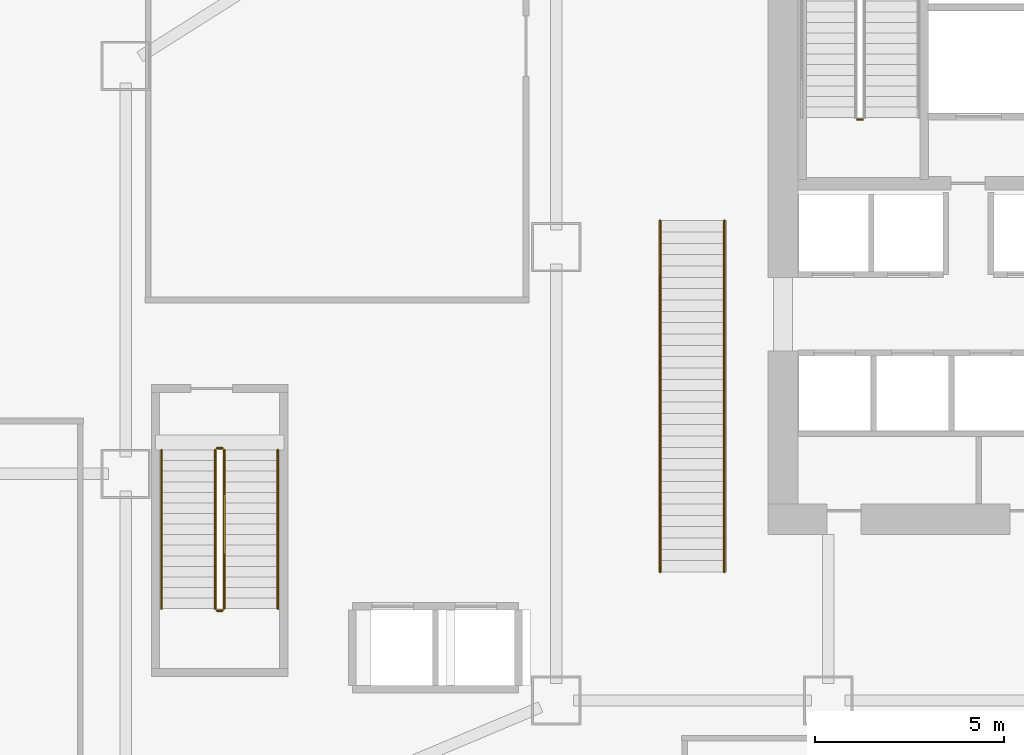
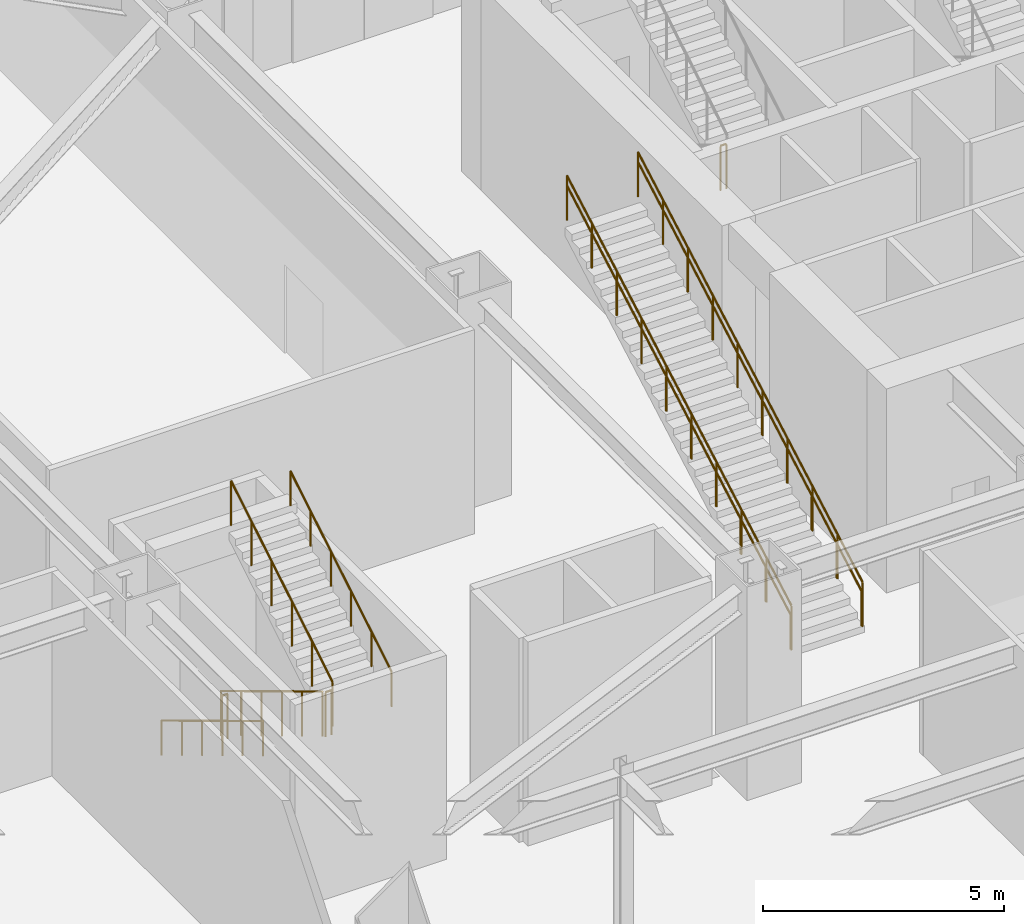
# One storey, part 32 of 37: 11 railings.
"""IFC4 building model written with IfcOpenShell, lengths in metres."""

from ifc_helpers import new_model, si_unit, direction, frame, origin, origin_2d, place, context, subcontext, project, spatial, circle, extrude, material, type_object, element, save


model = new_model("IFC4")

# Units and contexts
model_context = context("Model", 3, precision=1e-05, world=origin(), true_north=direction((0.0, 1.0)))
body_context = subcontext(model_context, "Body", "Model", "MODEL_VIEW")
ifc_project = project(units=[si_unit("LENGTHUNIT", "METRE"), si_unit("AREAUNIT", "SQUARE_METRE"), si_unit("VOLUMEUNIT", "CUBIC_METRE"), si_unit("PLANEANGLEUNIT", "RADIAN"), si_unit("MASSUNIT", "GRAM", prefix="KILO")], contexts=[model_context])

# Site, building, storey
site_placement = place(None, origin())
site = spatial("IfcSite", under=ifc_project, at=site_placement, CompositionType="ELEMENT")
building_placement = place(site_placement, origin())
building = spatial("IfcBuilding", under=site, at=building_placement, Name="Haolan Belvedere Tower", CompositionType="ELEMENT")
storey_placement = place(building_placement, frame((0.0, 0.0, 10.199951171875)))
storey = spatial("IfcBuildingStorey", under=building, at=storey_placement, Name="L02", CompositionType="ELEMENT", Elevation=10.199951171875)

# Railings
ifc_material = material(Name="Brushed stainless steel 304", Category="steel")
railing_type_1 = type_object("IfcRailingType", Name="RL-STAIR-GRD-1150", PredefinedType="GUARDRAIL", material=ifc_material)
railing_1_placement = place(storey_placement, frame((31.969970703125, 36.97998046875, 2.699951171875)))
element("IfcRailing", 1, at=railing_1_placement, inside=storey, type_object=railing_type_1, Name="L02 ST1 stair guard 2", PredefinedType="GUARDRAIL", context=body_context, shape_type="SweptSolid", body=[
    extrude(circle(Radius=0.02392578125, at=origin_2d()), frame((0.0, 0.0, 1.1259765625), z_axis=(1.0, 0.0, 0.0), x_axis=(0.0, 1.0, 0.0)), (0.0, 0.0, 1.0), 0.14013671875),
    extrude(circle(Radius=0.02099609375, at=origin_2d()), origin(), (0.0, 0.0, 1.0), 1.101806640625),
    extrude(circle(Radius=0.02099609375, at=origin_2d()), frame((0.14013671875, 0.0, 0.0)), (0.0, 0.0, 1.0), 1.101806640625),
])
railing_2_placement = place(storey_placement, frame((14.969970703125, 28.22998046875, 0.168701171875)))
element("IfcRailing", 2, at=railing_2_placement, inside=storey, type_object=railing_type_1, Name="L02 ST4 stair guard 1", PredefinedType="GUARDRAIL", context=body_context, shape_type="SweptSolid", body=[
    extrude(circle(Radius=0.02392578125, at=origin_2d()), frame((0.0, 0.0, 1.1259765625), z_axis=(0.0, -0.856476492594, 0.516186030065), x_axis=(1.0, 0.0, 0.0)), (0.0, 0.0, 1.0), 4.90380859375),
    extrude(circle(Radius=0.02099609375, at=origin_2d()), origin(), (0.0, 0.0, 1.0), 1.101806640625),
    extrude(circle(Radius=0.02099609375, at=origin_2d()), frame((0.0, -0.840087890625, 0.50634765625)), (0.0, 0.0, 1.0), 1.101806640625),
    extrude(circle(Radius=0.02099609375, at=origin_2d()), frame((0.0, -1.679931640625, 1.012451171875)), (0.0, 0.0, 1.0), 1.101806640625),
    extrude(circle(Radius=0.02099609375, at=origin_2d()), frame((0.0, -2.52001953125, 1.518798828125)), (0.0, 0.0, 1.0), 1.101806640625),
    extrude(circle(Radius=0.02099609375, at=origin_2d()), frame((0.0, -3.35986328125, 2.02490234375)), (0.0, 0.0, 1.0), 1.101806640625),
    extrude(circle(Radius=0.02099609375, at=origin_2d()), frame((0.0, -4.199951171875, 2.53125)), (0.0, 0.0, 1.0), 1.101806640625),
])
railing_3_placement = place(storey_placement, frame((15.02001953125, 23.97998046875, 2.699951171875)))
element("IfcRailing", 3, at=railing_3_placement, inside=storey, type_object=railing_type_1, Name="L02 ST4 stair guard 2", PredefinedType="GUARDRAIL", context=body_context, shape_type="SweptSolid", body=[
    extrude(circle(Radius=0.02392578125, at=origin_2d()), frame((0.0, 0.0, 1.1259765625), z_axis=(1.0, 0.0, 0.0), x_axis=(0.0, 1.0, 0.0)), (0.0, 0.0, 1.0), 0.139892578125),
    extrude(circle(Radius=0.02099609375, at=origin_2d()), origin(), (0.0, 0.0, 1.0), 1.101806640625),
    extrude(circle(Radius=0.02099609375, at=origin_2d()), frame((0.139892578125, 0.0, 0.0)), (0.0, 0.0, 1.0), 1.101806640625),
])
railing_4_placement = place(storey_placement, frame((15.2099609375, 24.030029296875, 2.868896484375)))
element("IfcRailing", 4, at=railing_4_placement, inside=storey, type_object=railing_type_1, Name="L02 ST4 stair guard 3", PredefinedType="GUARDRAIL", context=body_context, shape_type="SweptSolid", body=[
    extrude(circle(Radius=0.02392578125, at=origin_2d()), frame((0.0, 0.0, 1.1259765625), z_axis=(0.0, 0.856476492594, 0.516186030065), x_axis=(-1.0, 0.0, 0.0)), (0.0, 0.0, 1.0), 4.90380859375),
    extrude(circle(Radius=0.02099609375, at=origin_2d()), origin(), (0.0, 0.0, 1.0), 1.101806640625),
    extrude(circle(Radius=0.02099609375, at=origin_2d()), frame((0.0, 0.840087890625, 0.50634765625)), (0.0, 0.0, 1.0), 1.101806640625),
    extrude(circle(Radius=0.02099609375, at=origin_2d()), frame((0.0, 1.679931640625, 1.012451171875)), (0.0, 0.0, 1.0), 1.101806640625),
    extrude(circle(Radius=0.02099609375, at=origin_2d()), frame((0.0, 2.52001953125, 1.518798828125)), (0.0, 0.0, 1.0), 1.101806640625),
    extrude(circle(Radius=0.02099609375, at=origin_2d()), frame((0.0, 3.35986328125, 2.02490234375)), (0.0, 0.0, 1.0), 1.101806640625),
    extrude(circle(Radius=0.02099609375, at=origin_2d()), frame((0.0, 4.199951171875, 2.53125)), (0.0, 0.0, 1.0), 1.101806640625),
])
railing_5_placement = place(storey_placement, frame((15.02001953125, 28.280029296875, 0.0)))
element("IfcRailing", 5, at=railing_5_placement, inside=storey, type_object=railing_type_1, Name="L02 ST4 stair guard 4", PredefinedType="GUARDRAIL", context=body_context, shape_type="SweptSolid", body=[
    extrude(circle(Radius=0.02392578125, at=origin_2d()), frame((0.0, 0.0, 1.1259765625), z_axis=(1.0, 0.0, 0.0), x_axis=(0.0, 1.0, 0.0)), (0.0, 0.0, 1.0), 0.139892578125),
    extrude(circle(Radius=0.02099609375, at=origin_2d()), origin(), (0.0, 0.0, 1.0), 1.101806640625),
    extrude(circle(Radius=0.02099609375, at=origin_2d()), frame((0.139892578125, 0.0, 0.0)), (0.0, 0.0, 1.0), 1.101806640625),
])
for number, where, name in (
    (6, (26.75, 25.0, 0.168701171875), "L02 ST8 flight guard 1"),
    (7, (28.449951171875, 25.0, 0.168701171875), "L02 ST8 flight guard 2"),
):
    element("IfcRailing", number, at=place(storey_placement, frame(where)), inside=storey, type_object=railing_type_1, Name=name, PredefinedType="GUARDRAIL", context=body_context, shape_type="SweptSolid", body=[
        extrude(circle(Radius=0.02392578125, at=origin_2d()), frame((0.0, 0.0, 1.1259765625), z_axis=(0.0, 0.871568815611, 0.490273188799), x_axis=(-1.0, 0.0, 0.0)), (0.0, 0.0, 1.0), 10.67041015625),
        extrude(circle(Radius=0.02099609375, at=origin_2d()), origin(), (0.0, 0.0, 1.0), 1.101806640625),
        extrude(circle(Radius=0.02099609375, at=origin_2d()), frame((0.0, 1.033447265625, 0.581298828125)), (0.0, 0.0, 1.0), 1.101806640625),
        extrude(circle(Radius=0.02099609375, at=origin_2d()), frame((0.0, 2.066650390625, 1.16259765625)), (0.0, 0.0, 1.0), 1.101806640625),
        extrude(circle(Radius=0.02099609375, at=origin_2d()), frame((0.0, 3.10009765625, 1.743896484375)), (0.0, 0.0, 1.0), 1.101806640625),
        extrude(circle(Radius=0.02099609375, at=origin_2d()), frame((0.0, 4.13330078125, 2.3251953125)), (0.0, 0.0, 1.0), 1.101806640625),
        extrude(circle(Radius=0.02099609375, at=origin_2d()), frame((0.0, 5.166748046875, 2.90625)), (0.0, 0.0, 1.0), 1.101806640625),
        extrude(circle(Radius=0.02099609375, at=origin_2d()), frame((0.0, 6.199951171875, 3.487548828125)), (0.0, 0.0, 1.0), 1.101806640625),
        extrude(circle(Radius=0.02099609375, at=origin_2d()), frame((0.0, 7.2333984375, 4.06884765625)), (0.0, 0.0, 1.0), 1.101806640625),
        extrude(circle(Radius=0.02099609375, at=origin_2d()), frame((0.0, 8.2666015625, 4.650146484375)), (0.0, 0.0, 1.0), 1.101806640625),
        extrude(circle(Radius=0.02099609375, at=origin_2d()), frame((0.0, 9.300048828125, 5.2314453125)), (0.0, 0.0, 1.0), 1.101806640625),
    ])
railing_type_2 = type_object("IfcRailingType", Name="RL-STAIR-HND-900", PredefinedType="HANDRAIL", material=ifc_material)
railing_6_placement = place(storey_placement, frame((13.550048828125, 28.22998046875, 0.168701171875)))
element("IfcRailing", 8, at=railing_6_placement, inside=storey, type_object=railing_type_2, Name="L02 ST4 stair handrail 1", PredefinedType="HANDRAIL", context=body_context, shape_type="SweptSolid", body=[
    extrude(circle(Radius=0.02392578125, at=origin_2d()), frame((0.0, 0.0, 0.8759765625), z_axis=(0.0, -0.856476492594, 0.516186030065), x_axis=(1.0, 0.0, 0.0)), (0.0, 0.0, 1.0), 4.90380859375),
    extrude(circle(Radius=0.02099609375, at=origin_2d()), origin(), (0.0, 0.0, 1.0), 0.851806640625),
    extrude(circle(Radius=0.02099609375, at=origin_2d()), frame((0.0, -0.840087890625, 0.50634765625)), (0.0, 0.0, 1.0), 0.851806640625),
    extrude(circle(Radius=0.02099609375, at=origin_2d()), frame((0.0, -1.679931640625, 1.012451171875)), (0.0, 0.0, 1.0), 0.851806640625),
    extrude(circle(Radius=0.02099609375, at=origin_2d()), frame((0.0, -2.52001953125, 1.518798828125)), (0.0, 0.0, 1.0), 0.851806640625),
    extrude(circle(Radius=0.02099609375, at=origin_2d()), frame((0.0, -3.35986328125, 2.02490234375)), (0.0, 0.0, 1.0), 0.851806640625),
    extrude(circle(Radius=0.02099609375, at=origin_2d()), frame((0.0, -4.199951171875, 2.53125)), (0.0, 0.0, 1.0), 0.851806640625),
])
railing_7_placement = place(storey_placement, frame((16.6298828125, 24.030029296875, 2.868896484375)))
element("IfcRailing", 9, at=railing_7_placement, inside=storey, type_object=railing_type_2, Name="L02 ST4 stair handrail 2", PredefinedType="HANDRAIL", context=body_context, shape_type="SweptSolid", body=[
    extrude(circle(Radius=0.02392578125, at=origin_2d()), frame((0.0, 0.0, 0.8759765625), z_axis=(0.0, 0.856476492594, 0.516186030065), x_axis=(-1.0, 0.0, 0.0)), (0.0, 0.0, 1.0), 4.90380859375),
    extrude(circle(Radius=0.02099609375, at=origin_2d()), origin(), (0.0, 0.0, 1.0), 0.851806640625),
    extrude(circle(Radius=0.02099609375, at=origin_2d()), frame((0.0, 0.840087890625, 0.50634765625)), (0.0, 0.0, 1.0), 0.851806640625),
    extrude(circle(Radius=0.02099609375, at=origin_2d()), frame((0.0, 1.679931640625, 1.012451171875)), (0.0, 0.0, 1.0), 0.851806640625),
    extrude(circle(Radius=0.02099609375, at=origin_2d()), frame((0.0, 2.52001953125, 1.518798828125)), (0.0, 0.0, 1.0), 0.851806640625),
    extrude(circle(Radius=0.02099609375, at=origin_2d()), frame((0.0, 3.35986328125, 2.02490234375)), (0.0, 0.0, 1.0), 0.851806640625),
    extrude(circle(Radius=0.02099609375, at=origin_2d()), frame((0.0, 4.199951171875, 2.53125)), (0.0, 0.0, 1.0), 0.851806640625),
])
for number, where, name in (
    (10, (26.75, 25.0400390625, 0.168701171875), "L02 ST8 handrail 1"),
    (11, (28.449951171875, 25.0400390625, 0.168701171875), "L02 ST8 handrail 2"),
):
    element("IfcRailing", number, at=place(storey_placement, frame(where)), inside=storey, type_object=railing_type_2, Name=name, PredefinedType="HANDRAIL", context=body_context, shape_type="SweptSolid", body=[
        extrude(circle(Radius=0.02392578125, at=origin_2d()), frame((0.0, 0.0, 0.8759765625), z_axis=(0.0, 0.870662435313, 0.491881005666), x_axis=(-1.0, 0.0, 0.0)), (0.0, 0.0, 1.0), 10.635498046875),
        extrude(circle(Radius=0.02099609375, at=origin_2d()), origin(), (0.0, 0.0, 1.0), 0.851806640625),
        extrude(circle(Radius=0.02099609375, at=origin_2d()), frame((0.0, 1.02880859375, 0.581298828125)), (0.0, 0.0, 1.0), 0.851806640625),
        extrude(circle(Radius=0.02099609375, at=origin_2d()), frame((0.0, 2.057861328125, 1.16259765625)), (0.0, 0.0, 1.0), 0.851806640625),
        extrude(circle(Radius=0.02099609375, at=origin_2d()), frame((0.0, 3.086669921875, 1.743896484375)), (0.0, 0.0, 1.0), 0.851806640625),
        extrude(circle(Radius=0.02099609375, at=origin_2d()), frame((0.0, 4.115478515625, 2.3251953125)), (0.0, 0.0, 1.0), 0.851806640625),
        extrude(circle(Radius=0.02099609375, at=origin_2d()), frame((0.0, 5.14453125, 2.90625)), (0.0, 0.0, 1.0), 0.851806640625),
        extrude(circle(Radius=0.02099609375, at=origin_2d()), frame((0.0, 6.17333984375, 3.487548828125)), (0.0, 0.0, 1.0), 0.851806640625),
        extrude(circle(Radius=0.02099609375, at=origin_2d()), frame((0.0, 7.2021484375, 4.06884765625)), (0.0, 0.0, 1.0), 0.851806640625),
        extrude(circle(Radius=0.02099609375, at=origin_2d()), frame((0.0, 8.231201171875, 4.650146484375)), (0.0, 0.0, 1.0), 0.851806640625),
        extrude(circle(Radius=0.02099609375, at=origin_2d()), frame((0.0, 9.260009765625, 5.2314453125)), (0.0, 0.0, 1.0), 0.851806640625),
    ])

save(model, "model.ifc")
